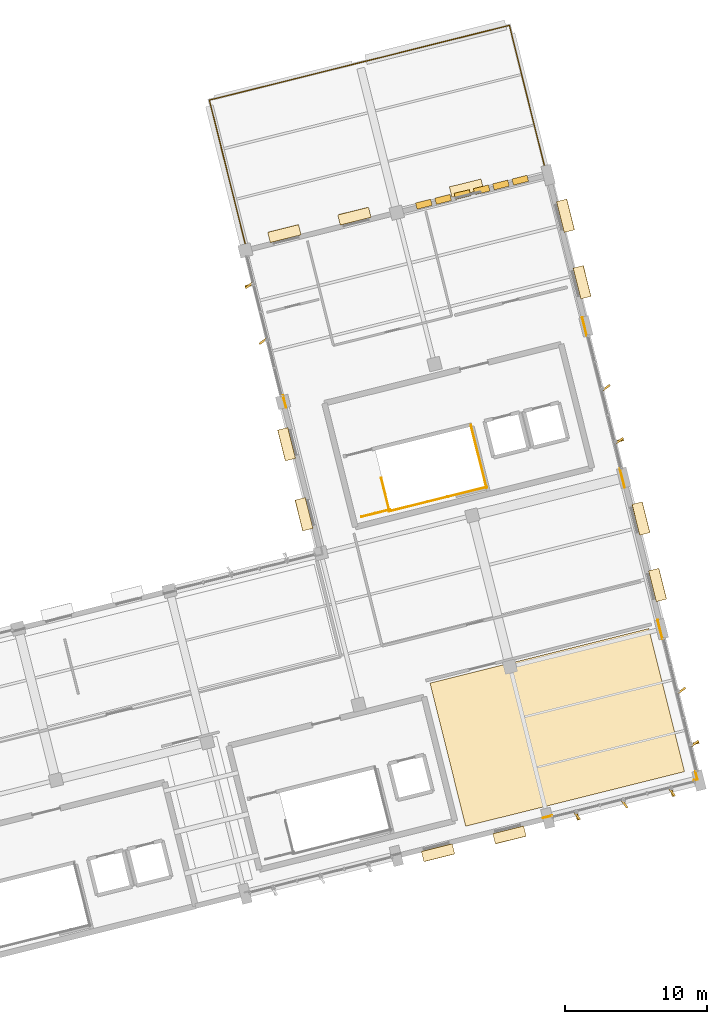
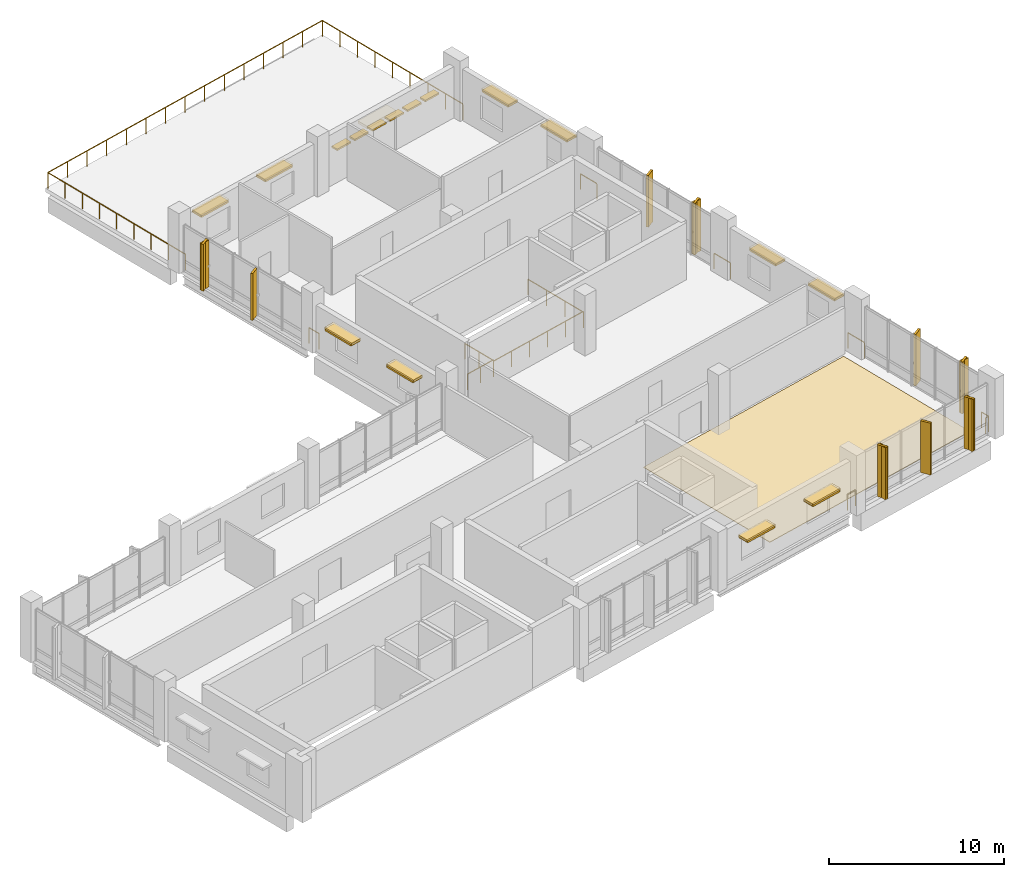
# One storey, part 22 of 22: 25 shading devices, 17 coverings, 11 railings.
"""IFC4 building model written with IfcOpenShell, lengths in metres."""

from ifc_helpers import new_model, si_unit, direction, frame, origin, origin_2d, place, context, subcontext, project, spatial, polyline, rectangle, outline, extrude, material, layer, layer_set, type_object, element, save


model = new_model("IFC4")

# Units and contexts
model_context = context("Model", 3, precision=1e-05, world=origin(), true_north=direction((0.0, 1.0)))
body_context = subcontext(model_context, "Body", "Model", "MODEL_VIEW")
ifc_project = project(units=[si_unit("LENGTHUNIT", "METRE"), si_unit("AREAUNIT", "SQUARE_METRE"), si_unit("VOLUMEUNIT", "CUBIC_METRE"), si_unit("PLANEANGLEUNIT", "RADIAN"), si_unit("MASSUNIT", "GRAM", prefix="KILO")], contexts=[model_context])

# Site, building, storey
site_placement = place(None, origin())
site = spatial("IfcSite", under=ifc_project, at=site_placement, CompositionType="ELEMENT")
building_placement = place(site_placement, origin())
building = spatial("IfcBuilding", under=site, at=building_placement, Name="Khorjan Park Terminus", CompositionType="ELEMENT")
storey_placement = place(building_placement, frame((0.0, 0.0, 24.6)))
storey = spatial("IfcBuildingStorey", under=building, at=storey_placement, Name="L05", CompositionType="ELEMENT", Elevation=24.6)

# Coverings
ifc_material_1 = material(Name="Pigmented Precast GRC", Category="concrete")
ifc_layer_1 = layer(ifc_material_1, 0.16)
ifc_layer_set_1 = layer_set([ifc_layer_1], Name="Pigmented Precast GRC")
covering_type_1 = type_object("IfcCoveringType", Name="CV-FIN-GRC", PredefinedType="CLADDING", material=ifc_layer_set_1)
for number, where, z_axis, x_axis, name in (
    (1, (221.4444, 15.4579, -0.02), (0.0, 0.0, 1.0), (-0.2419218956, 0.970295726276, 0.0), "Projecting desert-sandstone GRC facade fin CL-FN1 (CW-V5-S-L05-B05-1)"),
    (2, (228.1335, 17.1257, -0.02), (0.0, 0.0, 1.0), (-0.2419218956, 0.970295726276, 0.0), "Projecting desert-sandstone GRC facade fin CL-FN1 (CW-V5-S-L05-B05-5)"),
    (3, (229.7531, 20.5833, -0.02), (0.0, 0.0, 1.0), (-0.970295726276, -0.2419218956, 0.0), "Projecting desert-sandstone GRC facade fin CL-FN1 (CW-V5-E-L05-B01-1)"),
    (4, (224.4308, 41.9297, -0.02), (0.0, 0.0, 1.0), (-0.970295726276, -0.2419218956, 0.0), "Projecting desert-sandstone GRC facade fin CL-FN1 (CW-V5-E-L05-B03-1)"),
):
    element("IfcCovering", number, at=place(storey_placement, frame(where, z_axis=z_axis, x_axis=x_axis)), inside=storey, type_object=covering_type_1, Name=name, PredefinedType="CLADDING", context=body_context, shape_type="SweptSolid", body=[
        extrude(rectangle(XDim=0.58, YDim=0.16, at=origin_2d()), origin(), (0.0, 0.0, 1.0), 3.615),
    ])
covering_1_placement = place(storey_placement, frame((198.2985, 52.867, -0.02), z_axis=(0.0, 0.0, 1.0), x_axis=(0.970295726276, 0.2419218956, 0.0)))
element("IfcCovering", 5, at=covering_1_placement, inside=storey, type_object=covering_type_1, Name="Projecting desert-sandstone GRC facade fin CL-FN1 (CW-V5-NW1-L05-B01-1)", PredefinedType="CLADDING", context=body_context, shape_type="SweptSolid", body=[
    extrude(rectangle(XDim=0.58, YDim=0.16, at=origin_2d()), origin(), (0.0, 0.0, 1.0), 3.265),
])
ifc_material_2 = material(Name="Polished Desert Limestone Terrazzo", Category="masonry")
ifc_layer_2 = layer(ifc_material_2, 0.035)
ifc_layer_set_2 = layer_set([ifc_layer_2], Name="Polished Desert Limestone Terrazzo")
covering_type_2 = type_object("IfcCoveringType", Name="CV-FLR-TRZ", PredefinedType="FLOORING", material=ifc_layer_set_2)
covering_2_placement = place(storey_placement, origin())
element("IfcCovering", 6, at=covering_2_placement, inside=storey, type_object=covering_type_2, Name="Architectural floor finish FF-TRZ (L05-CRISIS)", PredefinedType="FLOORING", context=body_context, shape_type="SweptSolid", body=[
    extrude(outline(polyline([(229.0091, 18.586), (213.5814, 14.7395), (211.0655, 24.8305), (226.4931, 28.677), (229.0091, 18.586)])), origin(), (0.0, 0.0, 1.0), 0.035),
])
ifc_layer_3 = layer(ifc_material_1, 0.18)
ifc_layer_set_3 = layer_set([ifc_layer_3], Name="Pigmented Precast GRC")
covering_type_3 = type_object("IfcCoveringType", Name="CV-HOOD-GRC", PredefinedType="CLADDING", material=ifc_layer_set_3)
for number, where, z_axis, x_axis, name in (
    (7, (211.6326, 12.8725, 2.58), (0.0, 0.0, 1.0), (0.970297165188, 0.241916124366, 0.0), "Projecting desert-sandstone GRC window eyebrow CL-HD1 (EW-V5-S-L05-B04-1)"),
    (8, (216.6635, 14.1268, 2.58), (0.0, 0.0, 1.0), (0.970297165188, 0.241916124366, 0.0), "Projecting desert-sandstone GRC window eyebrow CL-HD1 (EW-V5-S-L05-B04-2)"),
    (9, (227.1081, 31.7494, 2.58), (0.0, 0.0, 1.0), (-0.241919949632, 0.970296211458, 0.0), "Projecting desert-sandstone GRC window eyebrow CL-HD1 (EW-V5-E-L05-B02-1)"),
    (10, (225.9385, 36.4407, 2.58), (0.0, 0.0, 1.0), (-0.241919949632, 0.970296211458, 0.0), "Projecting desert-sandstone GRC window eyebrow CL-HD1 (EW-V5-E-L05-B02-2)"),
    (11, (221.7858, 53.0963, 2.58), (0.0, 0.0, 1.0), (-0.241910213292, 0.970298638928, 0.0), "Projecting desert-sandstone GRC window eyebrow CL-HD1 (EW-V5-E-L05-B04-1)"),
    (12, (220.6161, 57.7876, 2.58), (0.0, 0.0, 1.0), (-0.241910213292, 0.970298638928, 0.0), "Projecting desert-sandstone GRC window eyebrow CL-HD1 (EW-V5-E-L05-B04-2)"),
):
    element("IfcCovering", number, at=place(storey_placement, frame(where, z_axis=z_axis, x_axis=x_axis)), inside=storey, type_object=covering_type_3, Name=name, PredefinedType="CLADDING", context=body_context, shape_type="SweptSolid", body=[
        extrude(rectangle(XDim=2.24, YDim=0.74, at=origin_2d()), origin(), (0.0, 0.0, 1.0), 0.16),
    ])
covering_3_placement = place(storey_placement, frame((213.633, 59.7334, 2.31), z_axis=(0.0, 0.0, 1.0), x_axis=(-0.970295240562, -0.241923843683, 0.0)))
element("IfcCovering", 13, at=covering_3_placement, inside=storey, type_object=covering_type_3, Name="Projecting pigmented-GRC entrance canopy hood CL-HD1 (EW-V5-N-L05-B01)", PredefinedType="CLADDING", context=body_context, shape_type="SweptSolid", body=[
    extrude(rectangle(XDim=2.3, YDim=0.76, at=origin_2d()), origin(), (0.0, 0.0, 1.0), 0.18),
])
for number, where, z_axis, x_axis, name in (
    (14, (205.7337, 57.7587, 2.58), (0.0, 0.0, 1.0), (-0.970296149297, -0.241920198947, 0.0), "Projecting desert-sandstone GRC window eyebrow CL-HD1 (EW-V5-N-L05-B02-1)"),
    (15, (200.7994, 56.5285, 2.58), (0.0, 0.0, 1.0), (-0.970296149297, -0.241920198947, 0.0), "Projecting desert-sandstone GRC window eyebrow CL-HD1 (EW-V5-N-L05-B02-2)"),
    (16, (200.9497, 41.6758, 2.58), (0.0, 0.0, 1.0), (0.241915507733, -0.970297318928, 0.0), "Projecting desert-sandstone GRC window eyebrow CL-HD1 (EW-V5-NW1-L05-B02-1)"),
    (17, (202.1798, 36.742, 2.58), (0.0, 0.0, 1.0), (0.241915507733, -0.970297318928, 0.0), "Projecting desert-sandstone GRC window eyebrow CL-HD1 (EW-V5-NW1-L05-B02-2)"),
):
    element("IfcCovering", number, at=place(storey_placement, frame(where, z_axis=z_axis, x_axis=x_axis)), inside=storey, type_object=covering_type_3, Name=name, PredefinedType="CLADDING", context=body_context, shape_type="SweptSolid", body=[
        extrude(rectangle(XDim=2.24, YDim=0.74, at=origin_2d()), origin(), (0.0, 0.0, 1.0), 0.16),
    ])

# Railings
ifc_material_3 = material(Name="Steel S355", Category="steel")
railing_type_1 = type_object("IfcRailingType", Name="GR-112", PredefinedType="GUARDRAIL", material=ifc_material_3)
railing_1_placement = place(storey_placement, frame((208.1967, 36.9979, 0.0)))
element("IfcRailing", 18, at=railing_1_placement, inside=storey, type_object=railing_type_1, Name="L05 ST-04 top well guard 1", PredefinedType="GUARDRAIL", context=body_context, shape_type="SweptSolid", body=[
    extrude(rectangle(XDim=0.048, YDim=0.048, at=origin_2d()), frame((0.0, 0.0, 1.096), z_axis=(-0.241907456791, 0.970299326161, 0.0), x_axis=(-0.970299326161, -0.241907456791, 0.0)), (0.0, 0.0, 1.0), 2.36),
    extrude(rectangle(XDim=0.042, YDim=0.042, at=origin_2d()), origin(), (0.0, 0.0, 1.0), 1.072),
    extrude(rectangle(XDim=0.042, YDim=0.042, at=origin_2d()), frame((-0.2854, 1.1449, 0.0)), (0.0, 0.0, 1.0), 1.072),
    extrude(rectangle(XDim=0.042, YDim=0.042, at=origin_2d()), frame((-0.5709, 2.2899, 0.0)), (0.0, 0.0, 1.0), 1.072),
])
railing_2_placement = place(storey_placement, frame((208.1603, 36.9373, 0.0)))
element("IfcRailing", 19, at=railing_2_placement, inside=storey, type_object=railing_type_1, Name="L05 ST-04 top well guard 2", PredefinedType="GUARDRAIL", context=body_context, shape_type="SweptSolid", body=[
    extrude(rectangle(XDim=0.048, YDim=0.048, at=origin_2d()), frame((0.0, 0.0, 1.096), z_axis=(0.970296366402, 0.241919328178, 0.0), x_axis=(-0.241919328178, 0.970296366402, 0.0)), (0.0, 0.0, 1.0), 7.14),
    extrude(rectangle(XDim=0.042, YDim=0.042, at=origin_2d()), origin(), (0.0, 0.0, 1.0), 1.072),
    extrude(rectangle(XDim=0.042, YDim=0.042, at=origin_2d()), frame((1.3856, 0.3455, 0.0)), (0.0, 0.0, 1.0), 1.072),
    extrude(rectangle(XDim=0.042, YDim=0.042, at=origin_2d()), frame((2.7712, 0.6909, 0.0)), (0.0, 0.0, 1.0), 1.072),
    extrude(rectangle(XDim=0.042, YDim=0.042, at=origin_2d()), frame((4.1567, 1.0364, 0.0)), (0.0, 0.0, 1.0), 1.072),
    extrude(rectangle(XDim=0.042, YDim=0.042, at=origin_2d()), frame((5.5423, 1.3818, 0.0)), (0.0, 0.0, 1.0), 1.072),
    extrude(rectangle(XDim=0.042, YDim=0.042, at=origin_2d()), frame((6.9279, 1.7273, 0.0)), (0.0, 0.0, 1.0), 1.072),
])
railing_3_placement = place(storey_placement, frame((215.0518, 38.604, 0.0)))
element("IfcRailing", 20, at=railing_3_placement, inside=storey, type_object=railing_type_1, Name="L05 ST-04 top well guard 3", PredefinedType="GUARDRAIL", context=body_context, shape_type="SweptSolid", body=[
    extrude(rectangle(XDim=0.048, YDim=0.048, at=origin_2d()), frame((0.0, 0.0, 1.096), z_axis=(-0.24193185783, 0.970293242359, 0.0), x_axis=(-0.970293242359, -0.24193185783, 0.0)), (0.0, 0.0, 1.0), 4.56),
    extrude(rectangle(XDim=0.042, YDim=0.042, at=origin_2d()), origin(), (0.0, 0.0, 1.0), 1.072),
    extrude(rectangle(XDim=0.042, YDim=0.042, at=origin_2d()), frame((-0.3677, 1.4748, 0.0)), (0.0, 0.0, 1.0), 1.072),
    extrude(rectangle(XDim=0.042, YDim=0.042, at=origin_2d()), frame((-0.7355, 2.9497, 0.0)), (0.0, 0.0, 1.0), 1.072),
    extrude(rectangle(XDim=0.042, YDim=0.042, at=origin_2d()), frame((-1.1032, 4.4245, 0.0)), (0.0, 0.0, 1.0), 1.072),
])
railing_4_placement = place(storey_placement, frame((206.2343, 36.5601, 0.0)))
element("IfcRailing", 21, at=railing_4_placement, inside=storey, type_object=railing_type_1, Name="L05 ST-04 top well guard 4", PredefinedType="GUARDRAIL", context=body_context, shape_type="SweptSolid", body=[
    extrude(rectangle(XDim=0.048, YDim=0.048, at=origin_2d()), frame((0.0, 0.0, 1.096), z_axis=(0.97029080484, 0.241941633546, 0.0), x_axis=(-0.241941633546, 0.97029080484, 0.0)), (0.0, 0.0, 1.0), 2.06),
    extrude(rectangle(XDim=0.042, YDim=0.042, at=origin_2d()), origin(), (0.0, 0.0, 1.0), 1.072),
    extrude(rectangle(XDim=0.042, YDim=0.042, at=origin_2d()), frame((0.9994, 0.2492, 0.0)), (0.0, 0.0, 1.0), 1.072),
    extrude(rectangle(XDim=0.042, YDim=0.042, at=origin_2d()), frame((1.9988, 0.4984, 0.0)), (0.0, 0.0, 1.0), 1.072),
])
railing_5_placement = place(storey_placement, frame((200.9071, 44.2854, 0.0)))
element("IfcRailing", 22, at=railing_5_placement, inside=storey, type_object=railing_type_1, Name="Perimeter safety guard GR-112 (L05-111)", PredefinedType="GUARDRAIL", context=body_context, shape_type="SweptSolid", body=[
    extrude(rectangle(XDim=0.048, YDim=0.048, at=origin_2d()), frame((0.0, 0.0, 1.096), z_axis=(-0.241867348744, 0.970309324706, 0.0), x_axis=(-0.970309324706, -0.241867348744, 0.0)), (0.0, 0.0, 1.0), 0.8451),
    extrude(rectangle(XDim=0.042, YDim=0.042, at=origin_2d()), origin(), (0.0, 0.0, 1.0), 1.072),
    extrude(rectangle(XDim=0.042, YDim=0.042, at=origin_2d()), frame((-0.2044, 0.82, 0.0)), (0.0, 0.0, 1.0), 1.072),
])
railing_6_placement = place(storey_placement, frame((219.6621, 15.4825, 0.0)))
element("IfcRailing", 23, at=railing_6_placement, inside=storey, type_object=railing_type_1, Name="Perimeter safety guard GR-112 (L05-114)", PredefinedType="GUARDRAIL", context=body_context, shape_type="SweptSolid", body=[
    extrude(rectangle(XDim=0.048, YDim=0.048, at=origin_2d()), frame((0.0, 0.0, 1.096), z_axis=(-0.970279129475, -0.241988452007, 0.0), x_axis=(0.241988452007, -0.970279129475, 0.0)), (0.0, 0.0, 1.0), 0.6451),
    extrude(rectangle(XDim=0.042, YDim=0.042, at=origin_2d()), origin(), (0.0, 0.0, 1.0), 1.072),
    extrude(rectangle(XDim=0.042, YDim=0.042, at=origin_2d()), frame((-0.6259, -0.1561, 0.0)), (0.0, 0.0, 1.0), 1.072),
])
railing_7_placement = place(storey_placement, frame((221.7981, 50.608, 0.0)))
element("IfcRailing", 24, at=railing_7_placement, inside=storey, type_object=railing_type_1, Name="Perimeter safety guard GR-112 (L05-115)", PredefinedType="GUARDRAIL", context=body_context, shape_type="SweptSolid", body=[
    extrude(rectangle(XDim=0.048, YDim=0.048, at=origin_2d()), frame((0.0, 0.0, 1.096), z_axis=(0.24194076503, -0.970291021404, 0.0), x_axis=(0.970291021404, 0.24194076503, 0.0)), (0.0, 0.0, 1.0), 1.345),
    extrude(rectangle(XDim=0.042, YDim=0.042, at=origin_2d()), origin(), (0.0, 0.0, 1.0), 1.072),
    extrude(rectangle(XDim=0.042, YDim=0.042, at=origin_2d()), frame((0.3254, -1.305, 0.0)), (0.0, 0.0, 1.0), 1.072),
])
railing_8_placement = place(storey_placement, frame((224.4557, 39.9487, 0.0)))
element("IfcRailing", 25, at=railing_8_placement, inside=storey, type_object=railing_type_1, Name="Perimeter safety guard GR-112 (L05-116)", PredefinedType="GUARDRAIL", context=body_context, shape_type="SweptSolid", body=[
    extrude(rectangle(XDim=0.048, YDim=0.048, at=origin_2d()), frame((0.0, 0.0, 1.096), z_axis=(0.241923311945, -0.97029537314, 0.0), x_axis=(0.97029537314, 0.241923311945, 0.0)), (0.0, 0.0, 1.0), 1.3451),
    extrude(rectangle(XDim=0.042, YDim=0.042, at=origin_2d()), origin(), (0.0, 0.0, 1.0), 1.072),
    extrude(rectangle(XDim=0.042, YDim=0.042, at=origin_2d()), frame((0.3254, -1.3051, 0.0)), (0.0, 0.0, 1.0), 1.072),
])
railing_9_placement = place(storey_placement, frame((227.1205, 29.2611, 0.0)))
element("IfcRailing", 26, at=railing_9_placement, inside=storey, type_object=railing_type_1, Name="Perimeter safety guard GR-112 (L05-117)", PredefinedType="GUARDRAIL", context=body_context, shape_type="SweptSolid", body=[
    extrude(rectangle(XDim=0.048, YDim=0.048, at=origin_2d()), frame((0.0, 0.0, 1.096), z_axis=(0.241870763547, -0.970308473498, 0.0), x_axis=(0.970308473498, 0.241870763547, 0.0)), (0.0, 0.0, 1.0), 1.3449),
    extrude(rectangle(XDim=0.042, YDim=0.042, at=origin_2d()), origin(), (0.0, 0.0, 1.0), 1.072),
    extrude(rectangle(XDim=0.042, YDim=0.042, at=origin_2d()), frame((0.3253, -1.305, 0.0)), (0.0, 0.0, 1.0), 1.072),
])
railing_10_placement = place(storey_placement, frame((229.7779, 18.6025, 0.0)))
element("IfcRailing", 27, at=railing_10_placement, inside=storey, type_object=railing_type_1, Name="Perimeter safety guard GR-112 (L05-118)", PredefinedType="GUARDRAIL", context=body_context, shape_type="SweptSolid", body=[
    extrude(rectangle(XDim=0.048, YDim=0.048, at=origin_2d()), frame((0.0, 0.0, 1.096), z_axis=(0.242008337937, -0.970274169691, 0.0), x_axis=(0.970274169691, 0.242008337937, 0.0)), (0.0, 0.0, 1.0), 0.5801),
    extrude(rectangle(XDim=0.048, YDim=0.048, at=origin_2d()), frame((0.1404, -0.5629, 1.096), z_axis=(-0.970321643882, -0.241817922027, 0.0), x_axis=(0.241817922027, -0.970321643882, 0.0)), (0.0, 0.0, 1.0), 0.2295),
    extrude(rectangle(XDim=0.042, YDim=0.042, at=origin_2d()), origin(), (0.0, 0.0, 1.0), 1.072),
    extrude(rectangle(XDim=0.042, YDim=0.042, at=origin_2d()), frame((0.1404, -0.5629, 0.0)), (0.0, 0.0, 1.0), 1.072),
    extrude(rectangle(XDim=0.042, YDim=0.042, at=origin_2d()), frame((-0.0823, -0.6184, 0.0)), (0.0, 0.0, 1.0), 1.072),
])
ifc_material_4 = material(Name="Anodized Bronze Aluminium & Laminated Glass", Category="aluminium")
railing_type_2 = type_object("IfcRailingType", Name="GR-BAL", PredefinedType="BALUSTRADE", material=ifc_material_4)
railing_11_placement = place(storey_placement, frame((198.2494, 54.945, 0.0)))
element("IfcRailing", 28, at=railing_11_placement, inside=storey, type_object=railing_type_2, Name="Perimeter safety guard GB-112 (L05-110)", PredefinedType="BALUSTRADE", context=body_context, shape_type="SweptSolid", body=[
    extrude(rectangle(XDim=0.048, YDim=0.048, at=origin_2d()), frame((0.0, 0.0, 1.096), z_axis=(-0.241924992261, 0.970294954186, 0.0), x_axis=(-0.970294954186, -0.241924992261, 0.0)), (0.0, 0.0, 1.0), 11.3295),
    extrude(rectangle(XDim=0.048, YDim=0.048, at=origin_2d()), frame((-2.7409, 10.993, 1.096), z_axis=(0.970295840199, 0.241921438678, 0.0), x_axis=(-0.241921438678, 0.970295840199, 0.0)), (0.0, 0.0, 1.0), 21.8001),
    extrude(rectangle(XDim=0.048, YDim=0.048, at=origin_2d()), frame((18.4116, 16.2669, 1.096), z_axis=(0.241921142489, -0.970295914047, 0.0), x_axis=(0.970295914047, 0.241921142489, 0.0)), (0.0, 0.0, 1.0), 11.5649),
    extrude(rectangle(XDim=0.042, YDim=0.042, at=origin_2d()), origin(), (0.0, 0.0, 1.0), 1.072),
    extrude(rectangle(XDim=0.042, YDim=0.042, at=origin_2d()), frame((-0.3426, 1.3741, 0.0)), (0.0, 0.0, 1.0), 1.072),
    extrude(rectangle(XDim=0.042, YDim=0.042, at=origin_2d()), frame((-0.6852, 2.7483, 0.0)), (0.0, 0.0, 1.0), 1.072),
    extrude(rectangle(XDim=0.042, YDim=0.042, at=origin_2d()), frame((-1.0278, 4.1224, 0.0)), (0.0, 0.0, 1.0), 1.072),
    extrude(rectangle(XDim=0.042, YDim=0.042, at=origin_2d()), frame((-1.3705, 5.4965, 0.0)), (0.0, 0.0, 1.0), 1.072),
    extrude(rectangle(XDim=0.042, YDim=0.042, at=origin_2d()), frame((-1.7131, 6.8706, 0.0)), (0.0, 0.0, 1.0), 1.072),
    extrude(rectangle(XDim=0.042, YDim=0.042, at=origin_2d()), frame((-2.0557, 8.2448, 0.0)), (0.0, 0.0, 1.0), 1.072),
    extrude(rectangle(XDim=0.042, YDim=0.042, at=origin_2d()), frame((-2.3983, 9.6189, 0.0)), (0.0, 0.0, 1.0), 1.072),
    extrude(rectangle(XDim=0.042, YDim=0.042, at=origin_2d()), frame((-2.7409, 10.993, 0.0)), (0.0, 0.0, 1.0), 1.072),
    extrude(rectangle(XDim=0.042, YDim=0.042, at=origin_2d()), frame((-1.23, 11.3697, 0.0)), (0.0, 0.0, 1.0), 1.072),
    extrude(rectangle(XDim=0.042, YDim=0.042, at=origin_2d()), frame((0.2809, 11.7464, 0.0)), (0.0, 0.0, 1.0), 1.072),
    extrude(rectangle(XDim=0.042, YDim=0.042, at=origin_2d()), frame((1.7918, 12.1231, 0.0)), (0.0, 0.0, 1.0), 1.072),
    extrude(rectangle(XDim=0.042, YDim=0.042, at=origin_2d()), frame((3.3027, 12.4998, 0.0)), (0.0, 0.0, 1.0), 1.072),
    extrude(rectangle(XDim=0.042, YDim=0.042, at=origin_2d()), frame((4.8136, 12.8765, 0.0)), (0.0, 0.0, 1.0), 1.072),
    extrude(rectangle(XDim=0.042, YDim=0.042, at=origin_2d()), frame((6.3245, 13.2532, 0.0)), (0.0, 0.0, 1.0), 1.072),
    extrude(rectangle(XDim=0.042, YDim=0.042, at=origin_2d()), frame((7.8353, 13.63, 0.0)), (0.0, 0.0, 1.0), 1.072),
    extrude(rectangle(XDim=0.042, YDim=0.042, at=origin_2d()), frame((9.3462, 14.0067, 0.0)), (0.0, 0.0, 1.0), 1.072),
    extrude(rectangle(XDim=0.042, YDim=0.042, at=origin_2d()), frame((10.8571, 14.3834, 0.0)), (0.0, 0.0, 1.0), 1.072),
    extrude(rectangle(XDim=0.042, YDim=0.042, at=origin_2d()), frame((12.368, 14.7601, 0.0)), (0.0, 0.0, 1.0), 1.072),
    extrude(rectangle(XDim=0.042, YDim=0.042, at=origin_2d()), frame((13.8789, 15.1368, 0.0)), (0.0, 0.0, 1.0), 1.072),
    extrude(rectangle(XDim=0.042, YDim=0.042, at=origin_2d()), frame((15.3898, 15.5135, 0.0)), (0.0, 0.0, 1.0), 1.072),
    extrude(rectangle(XDim=0.042, YDim=0.042, at=origin_2d()), frame((16.9007, 15.8902, 0.0)), (0.0, 0.0, 1.0), 1.072),
    extrude(rectangle(XDim=0.042, YDim=0.042, at=origin_2d()), frame((18.4116, 16.2669, 0.0)), (0.0, 0.0, 1.0), 1.072),
    extrude(rectangle(XDim=0.042, YDim=0.042, at=origin_2d()), frame((18.7613, 14.8642, 0.0)), (0.0, 0.0, 1.0), 1.072),
    extrude(rectangle(XDim=0.042, YDim=0.042, at=origin_2d()), frame((19.111, 13.4615, 0.0)), (0.0, 0.0, 1.0), 1.072),
    extrude(rectangle(XDim=0.042, YDim=0.042, at=origin_2d()), frame((19.4608, 12.0589, 0.0)), (0.0, 0.0, 1.0), 1.072),
    extrude(rectangle(XDim=0.042, YDim=0.042, at=origin_2d()), frame((19.8105, 10.6562, 0.0)), (0.0, 0.0, 1.0), 1.072),
    extrude(rectangle(XDim=0.042, YDim=0.042, at=origin_2d()), frame((20.1602, 9.2535, 0.0)), (0.0, 0.0, 1.0), 1.072),
    extrude(rectangle(XDim=0.042, YDim=0.042, at=origin_2d()), frame((20.5099, 7.8508, 0.0)), (0.0, 0.0, 1.0), 1.072),
    extrude(rectangle(XDim=0.042, YDim=0.042, at=origin_2d()), frame((20.8597, 6.4482, 0.0)), (0.0, 0.0, 1.0), 1.072),
    extrude(rectangle(XDim=0.042, YDim=0.042, at=origin_2d()), frame((21.2094, 5.0455, 0.0)), (0.0, 0.0, 1.0), 1.072),
])

# Shading devices
ifc_material_5 = material(Name="Anodized Bronze Aluminium", Category="aluminium")
shading_device_type_1 = type_object("IfcShadingDeviceType", Name="SD-FIN-620", PredefinedType="JALOUSIE", material=ifc_material_5)
for number, where, z_axis, x_axis, name in (
    (29, (221.4444, 15.4579, -0.02), (0.0, 0.0, 1.0), (-0.587785252292, 0.809016994375, 0.0), "Angled solar brise-soleil fin SF-62 (CW-V5-S-L05-B05-1)"),
    (30, (224.7889, 16.2918, -0.02), (0.0, 0.0, 1.0), (-0.587785252292, 0.809016994375, 0.0), "Angled solar brise-soleil fin SF-62 (CW-V5-S-L05-B05-3)"),
    (31, (228.1335, 17.1257, -0.02), (0.0, 0.0, 1.0), (-0.587785252292, 0.809016994375, 0.0), "Angled solar brise-soleil fin SF-62 (CW-V5-S-L05-B05-5)"),
    (32, (229.7531, 20.5833, -0.02), (0.0, 0.0, 1.0), (-0.809016994375, -0.587785252292, 0.0), "Angled solar brise-soleil fin SF-62 (CW-V5-E-L05-B01-1)"),
    (33, (228.8202, 24.3248, -0.02), (0.0, 0.0, 1.0), (-0.809016994375, -0.587785252292, 0.0), "Angled solar brise-soleil fin SF-62 (CW-V5-E-L05-B01-3)"),
    (34, (224.4308, 41.9297, -0.02), (0.0, 0.0, 1.0), (-0.809016994375, -0.587785252292, 0.0), "Angled solar brise-soleil fin SF-62 (CW-V5-E-L05-B03-1)"),
    (35, (223.4979, 45.6714, -0.02), (0.0, 0.0, 1.0), (-0.809016994375, -0.587785252292, 0.0), "Angled solar brise-soleil fin SF-62 (CW-V5-E-L05-B03-3)"),
):
    element("IfcShadingDevice", number, at=place(storey_placement, frame(where, z_axis=z_axis, x_axis=x_axis)), inside=storey, type_object=shading_device_type_1, Name=name, PredefinedType="JALOUSIE", context=body_context, shape_type="SweptSolid", body=[
        extrude(rectangle(XDim=0.62, YDim=0.14, at=origin_2d()), origin(), (0.0, 0.0, 1.0), 3.615),
    ])
for number, where, z_axis, x_axis, name in (
    (36, (198.2985, 52.867, -0.02), (0.0, 0.0, 1.0), (0.809016994375, 0.587785252292, 0.0), "Angled solar brise-soleil fin SF-62 (CW-V5-NW1-L05-B01-1)"),
    (37, (199.2798, 48.9311, -0.02), (0.0, 0.0, 1.0), (0.809016994375, 0.587785252292, 0.0), "Angled solar brise-soleil fin SF-62 (CW-V5-NW1-L05-B01-3)"),
):
    element("IfcShadingDevice", number, at=place(storey_placement, frame(where, z_axis=z_axis, x_axis=x_axis)), inside=storey, type_object=shading_device_type_1, Name=name, PredefinedType="JALOUSIE", context=body_context, shape_type="SweptSolid", body=[
        extrude(rectangle(XDim=0.62, YDim=0.14, at=origin_2d()), origin(), (0.0, 0.0, 1.0), 3.265),
    ])
shading_device_type_2 = type_object("IfcShadingDeviceType", Name="SD-LVR-450", PredefinedType="AWNING", material=ifc_material_5)
for number, where, z_axis, x_axis, name in (
    (38, (210.6333, 58.599, 2.14), (0.0, 0.0, 1.0), (0.970295726276, 0.2419218956, 0.0), "Acoustic solar intake louvre SL-45 (1)"),
    (39, (211.9917, 58.9377, 2.14), (0.0, 0.0, 1.0), (0.970295726276, 0.2419218956, 0.0), "Acoustic solar intake louvre SL-45 (2)"),
    (40, (213.3501, 59.2764, 2.14), (0.0, 0.0, 1.0), (0.970295726276, 0.2419218956, 0.0), "Acoustic solar intake louvre SL-45 (3)"),
    (41, (214.7085, 59.6151, 2.14), (0.0, 0.0, 1.0), (0.970295726276, 0.2419218956, 0.0), "Acoustic solar intake louvre SL-45 (4)"),
    (42, (216.0669, 59.9538, 2.14), (0.0, 0.0, 1.0), (0.970295726276, 0.2419218956, 0.0), "Acoustic solar intake louvre SL-45 (5)"),
    (43, (217.4253, 60.2924, 2.14), (0.0, 0.0, 1.0), (0.970295726276, 0.2419218956, 0.0), "Acoustic solar intake louvre SL-45 (6)"),
):
    element("IfcShadingDevice", number, at=place(storey_placement, frame(where, z_axis=z_axis, x_axis=x_axis)), inside=storey, type_object=shading_device_type_2, Name=name, PredefinedType="AWNING", context=body_context, shape_type="SweptSolid", body=[
        extrude(rectangle(XDim=1.1, YDim=0.45, at=origin_2d()), origin(), (0.0, 0.0, 1.0), 0.12),
    ])
shading_device_type_3 = type_object("IfcShadingDeviceType", Name="SD-SUN-750", PredefinedType="SHUTTER", material=ifc_material_5)
for number, where, z_axis, x_axis, name in (
    (44, (211.6326, 12.8725, 2.51), (0.0, 0.0, 1.0), (0.970297165188, 0.241916124366, 0.0), "Projecting solar overhang hood SH-75 (EW-V5-S-L05-B04-1)"),
    (45, (216.6635, 14.1268, 2.51), (0.0, 0.0, 1.0), (0.970297165188, 0.241916124366, 0.0), "Projecting solar overhang hood SH-75 (EW-V5-S-L05-B04-2)"),
    (46, (227.1081, 31.7494, 2.51), (0.0, 0.0, 1.0), (-0.241919949632, 0.970296211458, 0.0), "Projecting solar overhang hood SH-75 (EW-V5-E-L05-B02-1)"),
    (47, (225.9385, 36.4407, 2.51), (0.0, 0.0, 1.0), (-0.241919949632, 0.970296211458, 0.0), "Projecting solar overhang hood SH-75 (EW-V5-E-L05-B02-2)"),
    (48, (221.7858, 53.0963, 2.51), (0.0, 0.0, 1.0), (-0.241910213292, 0.970298638928, 0.0), "Projecting solar overhang hood SH-75 (EW-V5-E-L05-B04-1)"),
    (49, (220.6161, 57.7876, 2.51), (0.0, 0.0, 1.0), (-0.241910213292, 0.970298638928, 0.0), "Projecting solar overhang hood SH-75 (EW-V5-E-L05-B04-2)"),
    (50, (205.7337, 57.7587, 2.51), (0.0, 0.0, 1.0), (-0.970296149297, -0.241920198947, 0.0), "Projecting solar overhang hood SH-75 (EW-V5-N-L05-B02-1)"),
    (51, (200.7994, 56.5285, 2.51), (0.0, 0.0, 1.0), (-0.970296149297, -0.241920198947, 0.0), "Projecting solar overhang hood SH-75 (EW-V5-N-L05-B02-2)"),
    (52, (200.9497, 41.6758, 2.51), (0.0, 0.0, 1.0), (0.241915507733, -0.970297318928, 0.0), "Projecting solar overhang hood SH-75 (EW-V5-NW1-L05-B02-1)"),
    (53, (202.1798, 36.742, 2.51), (0.0, 0.0, 1.0), (0.241915507733, -0.970297318928, 0.0), "Projecting solar overhang hood SH-75 (EW-V5-NW1-L05-B02-2)"),
):
    element("IfcShadingDevice", number, at=place(storey_placement, frame(where, z_axis=z_axis, x_axis=x_axis)), inside=storey, type_object=shading_device_type_3, Name=name, PredefinedType="SHUTTER", context=body_context, shape_type="SweptSolid", body=[
        extrude(rectangle(XDim=2.16, YDim=0.76, at=origin_2d()), origin(), (0.0, 0.0, 1.0), 0.14),
    ])

save(model, "model.ifc")
